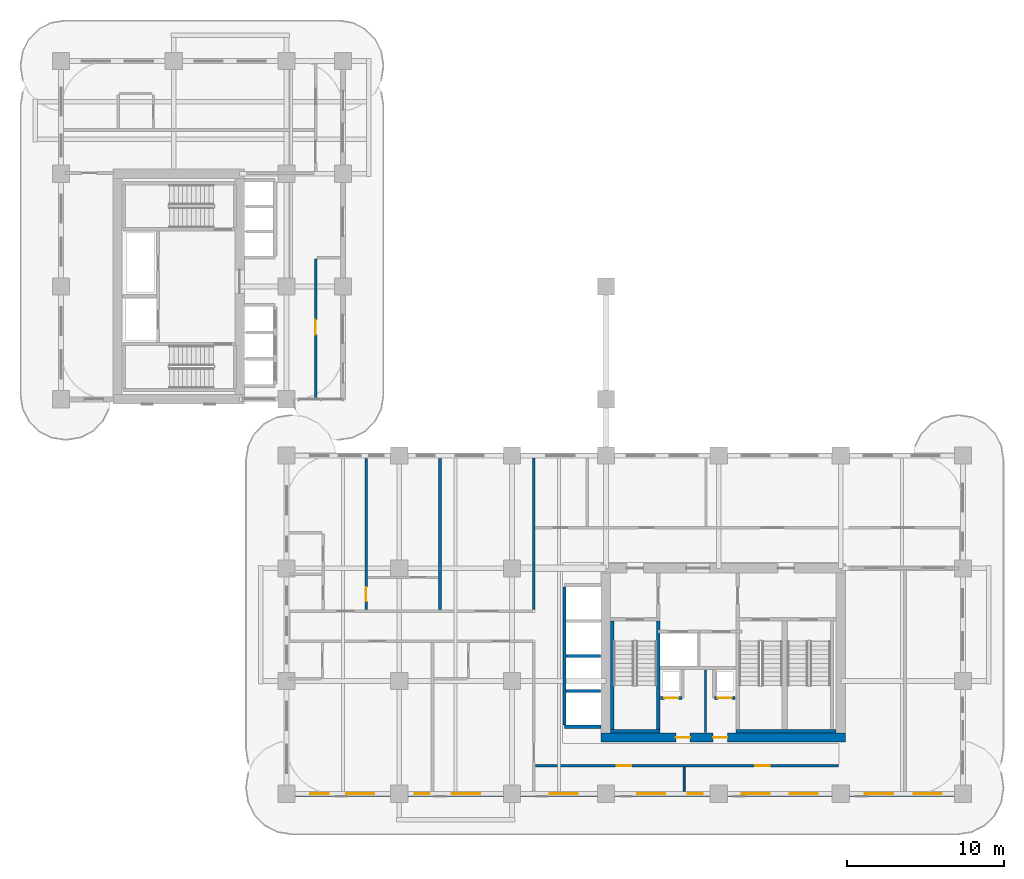
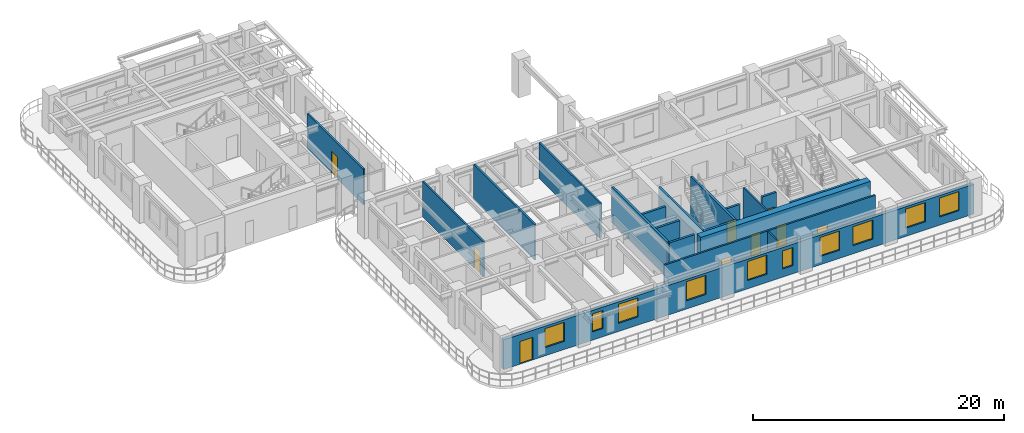
# One storey, part 8 of 19: 19 walls, 10 windows, 9 doors, 19 openings.
"""IFC4 building model written with IfcOpenShell, lengths in metres."""

from ifc_helpers import new_model, si_unit, derived_unit, direction, frame, frame_2d, origin, place, context, subcontext, project, spatial, rectangle, extrude, source, transform, mapped, material, layer, layer_set, type_object, type_shapes, element, fill, save


model = new_model("IFC4")

# Units and contexts
model_context = context("Model", 3, precision=1e-05, world=origin(), true_north=direction((0.0, 1.0)))
body_context = subcontext(model_context, "Body", "Model", "MODEL_VIEW")
ifc_project = project(units=[si_unit("LENGTHUNIT", "METRE"), si_unit("AREAUNIT", "SQUARE_METRE"), si_unit("VOLUMEUNIT", "CUBIC_METRE"), si_unit("PLANEANGLEUNIT", "RADIAN"), si_unit("MASSUNIT", "GRAM", prefix="KILO"), si_unit("THERMODYNAMICTEMPERATUREUNIT", "KELVIN"), si_unit("POWERUNIT", "WATT"), derived_unit("THERMALTRANSMITTANCEUNIT", [(si_unit("POWERUNIT", "WATT"), 1), (si_unit("AREAUNIT", "SQUARE_METRE"), -1), (si_unit("THERMODYNAMICTEMPERATUREUNIT", "KELVIN"), -1)])], contexts=[model_context])

# Site, building, storey
site_placement = place(None, origin())
site = spatial("IfcSite", under=ifc_project, at=site_placement, CompositionType="ELEMENT")
building_placement = place(site_placement, origin())
building = spatial("IfcBuilding", under=site, at=building_placement, Name="Zahravan Archway Hotel and Residences", CompositionType="ELEMENT")
storey_placement = place(building_placement, frame((0.0, 0.0, 39.800048828125)))
storey = spatial("IfcBuildingStorey", under=building, at=storey_placement, Name="L08", CompositionType="ELEMENT", Elevation=39.800048828125)

# Wall, openings, doors
ifc_material_1 = material(Name="Concrete C70/85", Category="concrete")
ifc_layer_1 = layer(ifc_material_1, 0.60009765625, Name="Concrete C70/85", Category="concrete")
ifc_layer_set_1 = layer_set([ifc_layer_1], Name="Concrete C70/85")
wall_type_1 = type_object("IfcWallType", Name="CW-CORE-600", PredefinedType="SHEAR", material=ifc_layer_set_1)
wall_1_placement = place(storey_placement, frame((34.5, 3.60009765625, 0.0), z_axis=(0.0, 0.0, 1.0), x_axis=(1.0, 0.0, 0.0)))
wall_1 = element("IfcWall", 1, at=wall_1_placement, inside=storey, type_object=wall_type_1, Name="L08 Core A Shear S Wall 600 mm", PredefinedType="SHEAR", context=body_context, shape_type="SweptSolid", body=[
    extrude(rectangle(XDim=15.60009765625, YDim=0.60009765625, at=frame_2d((7.800048828125, 0.0))), origin(), (0.0, 0.0, 1.0), 3.699951171875),
])
opening_1_placement = place(wall_1_placement, frame((4.77001953125, 0.0, 0.0)))
opening_1 = element("IfcOpeningElement", 2, at=opening_1_placement, cuts=wall_1, Name="Opening FD-R1", PredefinedType="OPENING", context=body_context, shape_type="SweptSolid", body=[
    extrude(rectangle(XDim=0.89990234375, YDim=2.10009765625, at=frame_2d((0.449951171875, 1.050048828125))), frame((0.0, 0.31005859375, 0.0), z_axis=(0.0, -1.0, 0.0), x_axis=(1.0, 0.0, 0.0)), (0.0, 0.0, 1.0), 0.6201171875),
])
opening_2_placement = place(wall_1_placement, frame((7.14990234375, 0.0, 0.0)))
opening_2 = element("IfcOpeningElement", 3, at=opening_2_placement, cuts=wall_1, Name="Opening FD-R1", PredefinedType="OPENING", context=body_context, shape_type="SweptSolid", body=[
    extrude(rectangle(XDim=0.89990234375, YDim=2.10009765625, at=frame_2d((0.449951171875, 1.050048828125))), frame((0.0, 0.31005859375, 0.0), z_axis=(0.0, -1.0, 0.0), x_axis=(1.0, 0.0, 0.0)), (0.0, 0.0, 1.0), 0.6201171875),
])
ifc_material_2 = material(Name="Fire-Rated Painted Steel", Category="steel")
door_type_1 = type_object("IfcDoorType", Name="FD-RISER-900", OperationType="NOTDEFINED", PredefinedType="DOOR", material=ifc_material_2)
shared_shape_1 = source(origin(), body_context, "Body", "SweptSolid", [
    extrude(rectangle(XDim=0.89990234375, YDim=2.10009765625, at=frame_2d((0.449951171875, 1.050048828125))), frame((0.0, 0.02490234375, 0.0), z_axis=(0.0, -1.0, 0.0), x_axis=(1.0, 0.0, 0.0)), (0.0, 0.0, 1.0), 0.050048828125),
])
type_shapes(door_type_1, [shared_shape_1])
door_1_placement = place(opening_1_placement, origin())
door_1 = element("IfcDoor", 4, at=door_1_placement, inside=storey, type_object=door_type_1, Name="L08 Fan Room Door", OperationType="SINGLE_SWING_RIGHT", OverallHeight=2.10009765625, OverallWidth=0.89990234375, PredefinedType="DOOR", context=body_context, shape_type="MappedRepresentation", body=[
    mapped(shared_shape_1, transform((0.0, 0.0, 0.0), scale=1.0)),
])
fill(opening_1, door_1)
door_2_placement = place(opening_2_placement, origin())
door_2 = element("IfcDoor", 5, at=door_2_placement, inside=storey, type_object=door_type_1, Name="L08 Sub-Meter Cupboard Door", OperationType="SINGLE_SWING_LEFT", OverallHeight=2.10009765625, OverallWidth=0.89990234375, PredefinedType="DOOR", context=body_context, shape_type="MappedRepresentation", body=[
    mapped(shared_shape_1, transform((0.0, 0.0, 0.0), scale=1.0)),
])
fill(opening_2, door_2)

# Wall, openings, door, windows
ifc_material_3 = material(Name="Agra Buff Sandstone & Insulated Backup", Category="masonry")
ifc_layer_2 = layer(ifc_material_3, 0.320068359375, Name="Agra Buff Sandstone & Insulated Backup", Category="masonry")
ifc_layer_set_2 = layer_set([ifc_layer_2], Name="Agra Buff Sandstone & Insulated Backup")
wall_type_2 = type_object("IfcWallType", Name="EW-SAND-320", PredefinedType="SOLIDWALL", material=ifc_layer_set_2)
wall_2_placement = place(storey_placement, frame((14.39990234375, 0.0, 0.0), z_axis=(0.0, 0.0, 1.0), x_axis=(1.0, 0.0, 0.0)))
wall_2 = element("IfcWall", 6, at=wall_2_placement, inside=storey, type_object=wall_type_2, Name="L08 Exterior Sandstone Wall WA-S", PredefinedType="SOLIDWALL", context=body_context, shape_type="SweptSolid", body=[
    extrude(rectangle(XDim=43.2001953125, YDim=0.320068359375, at=frame_2d((21.60009765625, 0.0))), origin(), (0.0, 0.0, 1.0), 2.885009765625),
])
opening_3_placement = place(wall_2_placement, frame((1.5, 0.0, 0.0)))
opening_3 = element("IfcOpeningElement", 7, at=opening_3_placement, cuts=wall_2, Name="Opening ED-BL1", PredefinedType="OPENING", context=body_context, shape_type="SweptSolid", body=[
    extrude(rectangle(XDim=1.199951171875, YDim=2.199951171875, at=frame_2d((0.60009765625, 1.10009765625))), frame((0.0, 0.169921875, 0.0), z_axis=(0.0, -1.0, 0.0), x_axis=(1.0, 0.0, 0.0)), (0.0, 0.0, 1.0), 0.340087890625),
])
opening_4_placement = place(wall_2_placement, frame((3.800048828125, 0.0, 0.800048828125)))
opening_4 = element("IfcOpeningElement", 8, at=opening_4_placement, cuts=wall_2, Name="Opening W-02", PredefinedType="OPENING", context=body_context, shape_type="SweptSolid", body=[
    extrude(rectangle(XDim=1.800048828125, YDim=1.85009765625, at=frame_2d((0.89990234375, 0.925048828125))), frame((0.0, 0.169921875, 0.0), z_axis=(0.0, -1.0, 0.0), x_axis=(1.0, 0.0, 0.0)), (0.0, 0.0, 1.0), 0.340087890625),
])
opening_5_placement = place(wall_2_placement, frame((8.180908203125, 0.0, 0.800048828125)))
opening_5 = element("IfcOpeningElement", 9, at=opening_5_placement, cuts=wall_2, Name="Opening W-04", PredefinedType="OPENING", context=body_context, shape_type="SweptSolid", body=[
    extrude(rectangle(XDim=0.949951171875, YDim=1.75, at=frame_2d((0.47509765625, 0.875))), frame((0.0, 0.169921875, 0.0), z_axis=(0.0, -1.0, 0.0), x_axis=(1.0, 0.0, 0.0)), (0.0, 0.0, 1.0), 0.340087890625),
])
opening_6_placement = place(wall_2_placement, frame((10.56396484375, 0.0, 0.800048828125)))
opening_6 = element("IfcOpeningElement", 10, at=opening_6_placement, cuts=wall_2, Name="Opening W-02", PredefinedType="OPENING", context=body_context, shape_type="SweptSolid", body=[
    extrude(rectangle(XDim=1.800048828125, YDim=1.85009765625, at=frame_2d((0.89990234375, 0.925048828125))), frame((0.0, 0.169921875, 0.0), z_axis=(0.0, -1.0, 0.0), x_axis=(1.0, 0.0, 0.0)), (0.0, 0.0, 1.0), 0.340087890625),
])
opening_7_placement = place(wall_2_placement, frame((16.803955078125, 0.0, 0.800048828125)))
opening_7 = element("IfcOpeningElement", 11, at=opening_7_placement, cuts=wall_2, Name="Opening W-02", PredefinedType="OPENING", context=body_context, shape_type="SweptSolid", body=[
    extrude(rectangle(XDim=1.800048828125, YDim=1.85009765625, at=frame_2d((0.89990234375, 0.925048828125))), frame((0.0, 0.169921875, 0.0), z_axis=(0.0, -1.0, 0.0), x_axis=(1.0, 0.0, 0.0)), (0.0, 0.0, 1.0), 0.340087890625),
])
opening_8_placement = place(wall_2_placement, frame((22.39599609375, 0.0, 0.800048828125)))
opening_8 = element("IfcOpeningElement", 12, at=opening_8_placement, cuts=wall_2, Name="Opening W-02", PredefinedType="OPENING", context=body_context, shape_type="SweptSolid", body=[
    extrude(rectangle(XDim=1.800048828125, YDim=1.85009765625, at=frame_2d((0.89990234375, 0.925048828125))), frame((0.0, 0.169921875, 0.0), z_axis=(0.0, -1.0, 0.0), x_axis=(1.0, 0.0, 0.0)), (0.0, 0.0, 1.0), 0.340087890625),
])
opening_9_placement = place(wall_2_placement, frame((25.62890625, 0.0, 0.800048828125)))
opening_9 = element("IfcOpeningElement", 13, at=opening_9_placement, cuts=wall_2, Name="Opening W-04", PredefinedType="OPENING", context=body_context, shape_type="SweptSolid", body=[
    extrude(rectangle(XDim=0.949951171875, YDim=1.75, at=frame_2d((0.47509765625, 0.875))), frame((0.0, 0.169921875, 0.0), z_axis=(0.0, -1.0, 0.0), x_axis=(1.0, 0.0, 0.0)), (0.0, 0.0, 1.0), 0.340087890625),
])
opening_10_placement = place(wall_2_placement, frame((29.074951171875, 0.0, 0.800048828125)))
opening_10 = element("IfcOpeningElement", 14, at=opening_10_placement, cuts=wall_2, Name="Opening W-02", PredefinedType="OPENING", context=body_context, shape_type="SweptSolid", body=[
    extrude(rectangle(XDim=1.800048828125, YDim=1.85009765625, at=frame_2d((0.89990234375, 0.925048828125))), frame((0.0, 0.169921875, 0.0), z_axis=(0.0, -1.0, 0.0), x_axis=(1.0, 0.0, 0.0)), (0.0, 0.0, 1.0), 0.340087890625),
])
opening_11_placement = place(wall_2_placement, frame((32.125, 0.0, 0.800048828125)))
opening_11 = element("IfcOpeningElement", 15, at=opening_11_placement, cuts=wall_2, Name="Opening W-02", PredefinedType="OPENING", context=body_context, shape_type="SweptSolid", body=[
    extrude(rectangle(XDim=1.800048828125, YDim=1.85009765625, at=frame_2d((0.89990234375, 0.925048828125))), frame((0.0, 0.169921875, 0.0), z_axis=(0.0, -1.0, 0.0), x_axis=(1.0, 0.0, 0.0)), (0.0, 0.0, 1.0), 0.340087890625),
])
opening_12_placement = place(wall_2_placement, frame((36.946044921875, 0.0, 0.800048828125)))
opening_12 = element("IfcOpeningElement", 16, at=opening_12_placement, cuts=wall_2, Name="Opening W-02", PredefinedType="OPENING", context=body_context, shape_type="SweptSolid", body=[
    extrude(rectangle(XDim=1.800048828125, YDim=1.85009765625, at=frame_2d((0.89990234375, 0.925048828125))), frame((0.0, 0.169921875, 0.0), z_axis=(0.0, -1.0, 0.0), x_axis=(1.0, 0.0, 0.0)), (0.0, 0.0, 1.0), 0.340087890625),
])
opening_13_placement = place(wall_2_placement, frame((40.053955078125, 0.0, 0.800048828125)))
opening_13 = element("IfcOpeningElement", 17, at=opening_13_placement, cuts=wall_2, Name="Opening W-02", PredefinedType="OPENING", context=body_context, shape_type="SweptSolid", body=[
    extrude(rectangle(XDim=1.800048828125, YDim=1.85009765625, at=frame_2d((0.89990234375, 0.925048828125))), frame((0.0, 0.169921875, 0.0), z_axis=(0.0, -1.0, 0.0), x_axis=(1.0, 0.0, 0.0)), (0.0, 0.0, 1.0), 0.340087890625),
])
ifc_material_4 = material(Name="Bronze-Anodized Glazed Aluminium", Category="aluminium")
door_type_2 = type_object("IfcDoorType", Name="ED-BALC-1200", OperationType="SLIDING_TO_LEFT", PredefinedType="DOOR", material=ifc_material_4)
shared_shape_2 = source(origin(), body_context, "Body", "SweptSolid", [
    extrude(rectangle(XDim=1.199951171875, YDim=2.199951171875, at=frame_2d((0.60009765625, 1.10009765625))), frame((0.0, 0.02490234375, 0.0), z_axis=(0.0, -1.0, 0.0), x_axis=(1.0, 0.0, 0.0)), (0.0, 0.0, 1.0), 0.050048828125),
])
type_shapes(door_type_2, [shared_shape_2])
door_3_placement = place(opening_3_placement, origin())
door_3 = element("IfcDoor", 18, at=door_3_placement, inside=storey, type_object=door_type_2, Name="L08 Outdoor Access Sliding Door (SLB-BAL-L08-SA)", OperationType="SLIDING_TO_LEFT", OverallHeight=2.199951171875, OverallWidth=1.199951171875, PredefinedType="DOOR", context=body_context, shape_type="MappedRepresentation", body=[
    mapped(shared_shape_2, transform((0.0, 0.0, 0.0), scale=1.0)),
])
fill(opening_3, door_3)
ifc_material_5 = material(Name="Bronze-Anodized Thermal-Break Aluminium & Low-E Glass", Category="aluminium")
window_type_1 = type_object("IfcWindowType", Name="WIN-NAR-950", PartitioningType="SINGLE_PANEL", PredefinedType="WINDOW", material=ifc_material_5)
shared_shape_3 = source(origin(), body_context, "Body", "SweptSolid", [
    extrude(rectangle(XDim=0.949951171875, YDim=1.75, at=frame_2d((0.47509765625, 0.875))), frame((0.0, 0.030029296875, 0.0), z_axis=(0.0, -1.0, 0.0), x_axis=(1.0, 0.0, 0.0)), (0.0, 0.0, 1.0), 0.06005859375),
])
type_shapes(window_type_1, [shared_shape_3])
window_1_placement = place(opening_5_placement, origin())
window_1 = element("IfcWindow", 19, at=window_1_placement, inside=storey, type_object=window_type_1, Name="L08 Loggia Window 02", OverallHeight=1.75, OverallWidth=0.949951171875, PartitioningType="SINGLE_PANEL", PredefinedType="WINDOW", context=body_context, shape_type="MappedRepresentation", body=[
    mapped(shared_shape_3, transform((0.0, 0.0, 0.0), scale=1.0)),
])
fill(opening_5, window_1)
window_2_placement = place(opening_9_placement, origin())
window_2 = element("IfcWindow", 20, at=window_2_placement, inside=storey, type_object=window_type_1, Name="L08 Loggia Window 06", OverallHeight=1.75, OverallWidth=0.949951171875, PartitioningType="SINGLE_PANEL", PredefinedType="WINDOW", context=body_context, shape_type="MappedRepresentation", body=[
    mapped(shared_shape_3, transform((0.0, 0.0, 0.0), scale=1.0)),
])
fill(opening_9, window_2)
window_type_2 = type_object("IfcWindowType", Name="WIN-TWR-1800", PartitioningType="DOUBLE_PANEL_VERTICAL", PredefinedType="WINDOW", material=ifc_material_5)
shared_shape_4 = source(origin(), body_context, "Body", "SweptSolid", [
    extrude(rectangle(XDim=1.800048828125, YDim=1.85009765625, at=frame_2d((0.89990234375, 0.925048828125))), frame((0.0, 0.030029296875, 0.0), z_axis=(0.0, -1.0, 0.0), x_axis=(1.0, 0.0, 0.0)), (0.0, 0.0, 1.0), 0.06005859375),
])
type_shapes(window_type_2, [shared_shape_4])
window_3_placement = place(opening_4_placement, origin())
window_3 = element("IfcWindow", 21, at=window_3_placement, inside=storey, type_object=window_type_2, Name="L08 Loggia Window 01", OverallHeight=1.85009765625, OverallWidth=1.800048828125, PartitioningType="DOUBLE_PANEL_VERTICAL", PredefinedType="WINDOW", context=body_context, shape_type="MappedRepresentation", body=[
    mapped(shared_shape_4, transform((0.0, 0.0, 0.0), scale=1.0)),
])
fill(opening_4, window_3)
window_4_placement = place(opening_6_placement, origin())
window_4 = element("IfcWindow", 22, at=window_4_placement, inside=storey, type_object=window_type_2, Name="L08 Loggia Window 03", OverallHeight=1.85009765625, OverallWidth=1.800048828125, PartitioningType="DOUBLE_PANEL_VERTICAL", PredefinedType="WINDOW", context=body_context, shape_type="MappedRepresentation", body=[
    mapped(shared_shape_4, transform((0.0, 0.0, 0.0), scale=1.0)),
])
fill(opening_6, window_4)
window_5_placement = place(opening_7_placement, origin())
window_5 = element("IfcWindow", 23, at=window_5_placement, inside=storey, type_object=window_type_2, Name="L08 Loggia Window 04", OverallHeight=1.85009765625, OverallWidth=1.800048828125, PartitioningType="DOUBLE_PANEL_VERTICAL", PredefinedType="WINDOW", context=body_context, shape_type="MappedRepresentation", body=[
    mapped(shared_shape_4, transform((0.0, 0.0, 0.0), scale=1.0)),
])
fill(opening_7, window_5)
window_6_placement = place(opening_8_placement, origin())
window_6 = element("IfcWindow", 24, at=window_6_placement, inside=storey, type_object=window_type_2, Name="L08 Loggia Window 05", OverallHeight=1.85009765625, OverallWidth=1.800048828125, PartitioningType="DOUBLE_PANEL_VERTICAL", PredefinedType="WINDOW", context=body_context, shape_type="MappedRepresentation", body=[
    mapped(shared_shape_4, transform((0.0, 0.0, 0.0), scale=1.0)),
])
fill(opening_8, window_6)
window_7_placement = place(opening_10_placement, origin())
window_7 = element("IfcWindow", 25, at=window_7_placement, inside=storey, type_object=window_type_2, Name="L08 Loggia Window 07", OverallHeight=1.85009765625, OverallWidth=1.800048828125, PartitioningType="DOUBLE_PANEL_VERTICAL", PredefinedType="WINDOW", context=body_context, shape_type="MappedRepresentation", body=[
    mapped(shared_shape_4, transform((0.0, 0.0, 0.0), scale=1.0)),
])
fill(opening_10, window_7)
window_8_placement = place(opening_11_placement, origin())
window_8 = element("IfcWindow", 26, at=window_8_placement, inside=storey, type_object=window_type_2, Name="L08 Loggia Window 08", OverallHeight=1.85009765625, OverallWidth=1.800048828125, PartitioningType="DOUBLE_PANEL_VERTICAL", PredefinedType="WINDOW", context=body_context, shape_type="MappedRepresentation", body=[
    mapped(shared_shape_4, transform((0.0, 0.0, 0.0), scale=1.0)),
])
fill(opening_11, window_8)
window_9_placement = place(opening_12_placement, origin())
window_9 = element("IfcWindow", 27, at=window_9_placement, inside=storey, type_object=window_type_2, Name="L08 Loggia Window 09", OverallHeight=1.85009765625, OverallWidth=1.800048828125, PartitioningType="DOUBLE_PANEL_VERTICAL", PredefinedType="WINDOW", context=body_context, shape_type="MappedRepresentation", body=[
    mapped(shared_shape_4, transform((0.0, 0.0, 0.0), scale=1.0)),
])
fill(opening_12, window_9)
window_10_placement = place(opening_13_placement, origin())
window_10 = element("IfcWindow", 28, at=window_10_placement, inside=storey, type_object=window_type_2, Name="L08 Loggia Window 10", OverallHeight=1.85009765625, OverallWidth=1.800048828125, PartitioningType="DOUBLE_PANEL_VERTICAL", PredefinedType="WINDOW", context=body_context, shape_type="MappedRepresentation", body=[
    mapped(shared_shape_4, transform((0.0, 0.0, 0.0), scale=1.0)),
])
fill(opening_13, window_10)

# Wall
ifc_material_6 = material(Name="Fire-Rated Gypsum & Concrete Block", Category="concrete")
ifc_layer_3 = layer(ifc_material_6, 0.159912109375, Name="Fire-Rated Gypsum & Concrete Block", Category="concrete")
ifc_layer_set_3 = layer_set([ifc_layer_3], Name="Fire-Rated Gypsum & Concrete Block")
wall_type_3 = type_object("IfcWallType", Name="PW-CORR-160", PredefinedType="PARTITIONING", material=ifc_layer_set_3)
wall_3_placement = place(storey_placement, frame((30.199951171875, 11.760009765625, 0.0), z_axis=(0.0, 0.0, 1.0), x_axis=(0.0, 1.0, 0.0)))
element("IfcWall", 29, at=wall_3_placement, inside=storey, type_object=wall_type_3, Name="L08 Partition WA-FW", PredefinedType="PARTITIONING", context=body_context, shape_type="SweptSolid", body=[
    extrude(rectangle(XDim=9.699951171875, YDim=0.159912109375, at=frame_2d((4.85009765625, 0.0))), origin(), (0.0, 0.0, 1.0), 3.449951171875),
])

# Wall, openings, doors
wall_4_placement = place(storey_placement, frame((30.2900390625, 1.800048828125, 0.0), z_axis=(0.0, 0.0, 1.0), x_axis=(1.0, 0.0, 0.0)))
wall_4 = element("IfcWall", 30, at=wall_4_placement, inside=storey, type_object=wall_type_3, Name="L08 Partition WA-SRS", PredefinedType="PARTITIONING", context=body_context, shape_type="SweptSolid", body=[
    extrude(rectangle(XDim=19.369873046875, YDim=0.159912109375, at=frame_2d((9.68505859375, 0.0))), origin(), (0.0, 0.0, 1.0), 3.449951171875),
])
opening_14_placement = place(wall_4_placement, frame((5.213134765625, 0.0, 0.0)))
opening_14 = element("IfcOpeningElement", 31, at=opening_14_placement, cuts=wall_4, Name="Opening D-I2", PredefinedType="OPENING", context=body_context, shape_type="SweptSolid", body=[
    extrude(rectangle(XDim=0.89990234375, YDim=2.14990234375, at=frame_2d((0.449951171875, 1.074951171875))), frame((0.0, 0.08984375, 0.0), z_axis=(0.0, -1.0, 0.0), x_axis=(1.0, 0.0, 0.0)), (0.0, 0.0, 1.0), 0.179931640625),
])
opening_15_placement = place(wall_4_placement, frame((14.06005859375, 0.0, 0.0)))
opening_15 = element("IfcOpeningElement", 32, at=opening_15_placement, cuts=wall_4, Name="Opening D-I2", PredefinedType="OPENING", context=body_context, shape_type="SweptSolid", body=[
    extrude(rectangle(XDim=0.89990234375, YDim=2.14990234375, at=frame_2d((0.449951171875, 1.074951171875))), frame((0.0, 0.08984375, 0.0), z_axis=(0.0, -1.0, 0.0), x_axis=(1.0, 0.0, 0.0)), (0.0, 0.0, 1.0), 0.179931640625),
])
ifc_material_7 = material(Name="Hardwood Veneer Timber", Category="wood")
door_type_3 = type_object("IfcDoorType", Name="ID-INT-900", OperationType="NOTDEFINED", PredefinedType="DOOR", material=ifc_material_7)
shared_shape_5 = source(origin(), body_context, "Body", "SweptSolid", [
    extrude(rectangle(XDim=0.89990234375, YDim=2.14990234375, at=frame_2d((0.449951171875, 1.074951171875))), frame((0.0, 0.02490234375, 0.0), z_axis=(0.0, -1.0, 0.0), x_axis=(1.0, 0.0, 0.0)), (0.0, 0.0, 1.0), 0.050048828125),
])
type_shapes(door_type_3, [shared_shape_5])
door_4_placement = place(opening_14_placement, origin())
door_4 = element("IfcDoor", 33, at=door_4_placement, inside=storey, type_object=door_type_3, Name="L08 South Study Door", OperationType="SINGLE_SWING_RIGHT", OverallHeight=2.14990234375, OverallWidth=0.89990234375, PredefinedType="DOOR", context=body_context, shape_type="MappedRepresentation", body=[
    mapped(shared_shape_5, transform((0.0, 0.0, 0.0), scale=1.0)),
])
fill(opening_14, door_4)
door_5_placement = place(opening_15_placement, origin())
door_5 = element("IfcDoor", 34, at=door_5_placement, inside=storey, type_object=door_type_3, Name="L08 South Pantry Door", OperationType="SINGLE_SWING_LEFT", OverallHeight=2.14990234375, OverallWidth=0.89990234375, PredefinedType="DOOR", context=body_context, shape_type="MappedRepresentation", body=[
    mapped(shared_shape_5, transform((0.0, 0.0, 0.0), scale=1.0)),
])
fill(opening_15, door_5)

# Wall, opening, door
wall_5_placement = place(storey_placement, frame((16.25, 25.22802734375, 0.0), z_axis=(0.0, 0.0, 1.0), x_axis=(0.0, 1.0, 0.0)))
wall_5 = element("IfcWall", 35, at=wall_5_placement, inside=storey, type_object=wall_type_3, Name="L08 Partition WB-CE", PredefinedType="PARTITIONING", context=body_context, shape_type="SweptSolid", body=[
    extrude(rectangle(XDim=8.931884765625, YDim=0.159912109375, at=frame_2d((4.4658203125, 0.0))), origin(), (0.0, 0.0, 1.0), 3.449951171875),
])
opening_16_placement = place(wall_5_placement, frame((4.096923828125, 0.0, 0.0)))
opening_16 = element("IfcOpeningElement", 36, at=opening_16_placement, cuts=wall_5, Name="Opening D-I1", PredefinedType="OPENING", context=body_context, shape_type="SweptSolid", body=[
    extrude(rectangle(XDim=0.949951171875, YDim=2.14990234375, at=frame_2d((0.47509765625, 1.074951171875))), frame((0.0, 0.08984375, 0.0), z_axis=(0.0, -1.0, 0.0), x_axis=(1.0, 0.0, 0.0)), (0.0, 0.0, 1.0), 0.179931640625),
])
door_type_4 = type_object("IfcDoorType", Name="ID-INT-950", OperationType="NOTDEFINED", PredefinedType="DOOR", material=ifc_material_7)
shared_shape_6 = source(origin(), body_context, "Body", "SweptSolid", [
    extrude(rectangle(XDim=0.949951171875, YDim=2.14990234375, at=frame_2d((0.47509765625, 1.074951171875))), frame((0.0, 0.02490234375, 0.0), z_axis=(0.0, -1.0, 0.0), x_axis=(1.0, 0.0, 0.0)), (0.0, 0.0, 1.0), 0.050048828125),
])
type_shapes(door_type_4, [shared_shape_6])
door_6_placement = place(opening_16_placement, origin())
door_6 = element("IfcDoor", 37, at=door_6_placement, inside=storey, type_object=door_type_4, Name="L08 Wing B Portal Study Door", OperationType="SINGLE_SWING_LEFT", OverallHeight=2.14990234375, OverallWidth=0.949951171875, PredefinedType="DOOR", context=body_context, shape_type="MappedRepresentation", body=[
    mapped(shared_shape_6, transform((0.0, 0.0, 0.0), scale=1.0)),
])
fill(opening_16, door_6)

# Wall
ifc_material_8 = material(Name="Acoustic Stud Partition")
ifc_layer_4 = layer(ifc_material_8, 0.125, Name="Acoustic Stud Partition")
ifc_layer_set_4 = layer_set([ifc_layer_4], Name="Acoustic Stud Partition")
wall_type_4 = type_object("IfcWallType", Name="PW-INT-125", PredefinedType="PARTITIONING", material=ifc_layer_set_4)
wall_6_placement = place(storey_placement, frame((39.800048828125, 0.16796875, 0.0), z_axis=(0.0, 0.0, 1.0), x_axis=(0.0, 1.0, 0.0)))
element("IfcWall", 38, at=wall_6_placement, inside=storey, type_object=wall_type_4, Name="L08 Partition S-DIV1", PredefinedType="PARTITIONING", context=body_context, shape_type="SweptSolid", body=[
    extrude(rectangle(XDim=1.5419921875, YDim=0.125, at=frame_2d((0.77099609375, 0.0))), origin(), (0.0, 0.0, 1.0), 3.449951171875),
])

# Wall, opening, door
ifc_layer_5 = layer(ifc_material_6, 0.199951171875, Name="Fire-Rated Gypsum & Concrete Block", Category="concrete")
ifc_layer_set_5 = layer_set([ifc_layer_5], Name="Fire-Rated Gypsum & Concrete Block")
wall_type_5 = type_object("IfcWallType", Name="PW-SHAFT-200", PredefinedType="PARTITIONING", material=ifc_layer_set_5)
wall_7_placement = place(storey_placement, frame((38.2900390625, 6.1201171875, 0.0), z_axis=(0.0, 0.0, 1.0), x_axis=(1.0, 0.0, 0.0)))
wall_7 = element("IfcWall", 39, at=wall_7_placement, inside=storey, type_object=wall_type_5, Name="L08 Partition CA-SMKS", PredefinedType="PARTITIONING", context=body_context, shape_type="SweptSolid", body=[
    extrude(rectangle(XDim=1.3798828125, YDim=0.199951171875, at=frame_2d((0.68994140625, 0.0))), origin(), (0.0, 0.0, 1.0), 3.449951171875),
])
opening_17_placement = place(wall_7_placement, frame((0.239990234375, 0.0, 0.0)))
opening_17 = element("IfcOpeningElement", 40, at=opening_17_placement, cuts=wall_7, Name="Opening FD-R1", PredefinedType="OPENING", context=body_context, shape_type="SweptSolid", body=[
    extrude(rectangle(XDim=0.89990234375, YDim=2.10009765625, at=frame_2d((0.449951171875, 1.050048828125))), frame((0.0, 0.10986328125, 0.0), z_axis=(0.0, -1.0, 0.0), x_axis=(1.0, 0.0, 0.0)), (0.0, 0.0, 1.0), 0.219970703125),
])
door_7_placement = place(opening_17_placement, origin())
door_7 = element("IfcDoor", 41, at=door_7_placement, inside=storey, type_object=door_type_1, Name="L08 Smoke Riser Access Door", OperationType="SINGLE_SWING_RIGHT", OverallHeight=2.10009765625, OverallWidth=0.89990234375, PredefinedType="DOOR", context=body_context, shape_type="MappedRepresentation", body=[
    mapped(shared_shape_1, transform((0.0, 0.0, 0.0), scale=1.0)),
])
fill(opening_17, door_7)

wall_8_placement = place(storey_placement, frame((41.72998046875, 6.1201171875, 0.0), z_axis=(0.0, 0.0, 1.0), x_axis=(1.0, 0.0, 0.0)))
wall_8 = element("IfcWall", 42, at=wall_8_placement, inside=storey, type_object=wall_type_5, Name="L08 Partition CA-MEPS", PredefinedType="PARTITIONING", context=body_context, shape_type="SweptSolid", body=[
    extrude(rectangle(XDim=1.320068359375, YDim=0.199951171875, at=frame_2d((0.66015625, 0.0))), origin(), (0.0, 0.0, 1.0), 3.449951171875),
])
opening_18_placement = place(wall_8_placement, frame((0.219970703125, 0.0, 0.0)))
opening_18 = element("IfcOpeningElement", 43, at=opening_18_placement, cuts=wall_8, Name="Opening FD-R1", PredefinedType="OPENING", context=body_context, shape_type="SweptSolid", body=[
    extrude(rectangle(XDim=0.89990234375, YDim=2.10009765625, at=frame_2d((0.449951171875, 1.050048828125))), frame((0.0, 0.10986328125, 0.0), z_axis=(0.0, -1.0, 0.0), x_axis=(1.0, 0.0, 0.0)), (0.0, 0.0, 1.0), 0.219970703125),
])
door_8_placement = place(opening_18_placement, origin())
door_8 = element("IfcDoor", 44, at=door_8_placement, inside=storey, type_object=door_type_1, Name="L08 MEP Riser Access Door", OperationType="SINGLE_SWING_LEFT", OverallHeight=2.10009765625, OverallWidth=0.89990234375, PredefinedType="DOOR", context=body_context, shape_type="MappedRepresentation", body=[
    mapped(shared_shape_1, transform((0.0, 0.0, 0.0), scale=1.0)),
])
fill(opening_18, door_8)

# Walls
wall_9_placement = place(storey_placement, frame((32.159912109375, 4.280029296875, 0.0), z_axis=(0.0, 0.0, 1.0), x_axis=(1.0, 0.0, 0.0)))
element("IfcWall", 45, at=wall_9_placement, inside=storey, type_object=wall_type_5, Name="L08 Partition B3-S", PredefinedType="PARTITIONING", context=body_context, shape_type="SweptSolid", body=[
    extrude(rectangle(XDim=2.31005859375, YDim=0.199951171875, at=frame_2d((1.155029296875, 0.0))), origin(), (0.0, 0.0, 1.0), 3.449951171875),
])
wall_10_placement = place(storey_placement, frame((32.14990234375, 4.389892578125, 0.0), z_axis=(0.0, 0.0, 1.0), x_axis=(0.0, 1.0, 0.0)))
element("IfcWall", 46, at=wall_10_placement, inside=storey, type_object=wall_type_5, Name="L08 Partition B3-W", PredefinedType="PARTITIONING", context=body_context, shape_type="SweptSolid", body=[
    extrude(rectangle(XDim=8.820068359375, YDim=0.199951171875, at=frame_2d((4.41015625, 0.0))), origin(), (0.0, 0.0, 1.0), 3.449951171875),
])
for number, where, z_axis, x_axis, name in (
    (47, (32.260009765625, 6.56005859375, 0.0), (0.0, 0.0, 1.0), (1.0, 0.0, 0.0), "L08 Partition B3-D"),
    (48, (32.260009765625, 8.800048828125, 0.0), (0.0, 0.0, 1.0), (1.0, 0.0, 0.0), "L08 Partition B3-D"),
):
    element("IfcWall", number, at=place(storey_placement, frame(where, z_axis=z_axis, x_axis=x_axis)), inside=storey, type_object=wall_type_5, Name=name, PredefinedType="PARTITIONING", context=body_context, shape_type="SweptSolid", body=[
        extrude(rectangle(XDim=2.179931640625, YDim=0.199951171875, at=frame_2d((1.08984375, 0.0))), origin(), (0.0, 0.0, 1.0), 3.449951171875),
    ])

# Wall, opening, door
ifc_layer_6 = layer(ifc_material_8, 0.14990234375, Name="Acoustic Stud Partition")
ifc_layer_set_6 = layer_set([ifc_layer_6], Name="Acoustic Stud Partition")
wall_type_6 = type_object("IfcWallType", Name="PW-UNIT-150", PredefinedType="PARTITIONING", material=ifc_layer_set_6)
wall_11_placement = place(storey_placement, frame((19.47998046875, 11.760009765625, 0.0), z_axis=(0.0, 0.0, 1.0), x_axis=(0.0, 1.0, 0.0)))
wall_11 = element("IfcWall", 49, at=wall_11_placement, inside=storey, type_object=wall_type_6, Name="L08 Partition FL-PN1-SP", PredefinedType="PARTITIONING", context=body_context, shape_type="SweptSolid", body=[
    extrude(rectangle(XDim=9.671875, YDim=0.14990234375, at=frame_2d((4.8359375, 0.0))), origin(), (0.0, 0.0, 1.0), 3.449951171875),
])
opening_19_placement = place(wall_11_placement, frame((0.534912109375, 0.0, 0.0)))
opening_19 = element("IfcOpeningElement", 50, at=opening_19_placement, cuts=wall_11, Name="Opening D-I2", PredefinedType="OPENING", context=body_context, shape_type="SweptSolid", body=[
    extrude(rectangle(XDim=0.89990234375, YDim=2.14990234375, at=frame_2d((0.449951171875, 1.074951171875))), frame((0.0, 0.0849609375, 0.0), z_axis=(0.0, -1.0, 0.0), x_axis=(1.0, 0.0, 0.0)), (0.0, 0.0, 1.0), 0.169921875),
])
door_9_placement = place(opening_19_placement, origin())
door_9 = element("IfcDoor", 51, at=door_9_placement, inside=storey, type_object=door_type_3, Name="L08 Flat PN1 Bedroom Hall Door", OperationType="SINGLE_SWING_LEFT", OverallHeight=2.14990234375, OverallWidth=0.89990234375, PredefinedType="DOOR", context=body_context, shape_type="MappedRepresentation", body=[
    mapped(shared_shape_5, transform((0.0, 0.0, 0.0), scale=1.0)),
])
fill(opening_19, door_9)

# Walls
ifc_layer_7 = layer(ifc_material_8, 0.169921875, Name="Acoustic Stud Partition")
ifc_layer_set_7 = layer_set([ifc_layer_7], Name="Acoustic Stud Partition")
wall_type_7 = type_object("IfcWallType", Name="PW-UNIT-170", PredefinedType="PARTITIONING", material=ifc_layer_set_7)
wall_12_placement = place(storey_placement, frame((24.199951171875, 11.760009765625, 0.0), z_axis=(0.0, 0.0, 1.0), x_axis=(0.0, 1.0, 0.0)))
element("IfcWall", 52, at=wall_12_placement, inside=storey, type_object=wall_type_7, Name="L08 Partition WAN-P1", PredefinedType="PARTITIONING", context=body_context, shape_type="SweptSolid", body=[
    extrude(rectangle(XDim=9.671875, YDim=0.169921875, at=frame_2d((4.8359375, 0.0))), origin(), (0.0, 0.0, 1.0), 3.449951171875),
])
ifc_material_9 = material(Name="Moisture-Resistant Blockwork", Category="masonry")
ifc_layer_8 = layer(ifc_material_9, 0.139892578125, Name="Moisture-Resistant Blockwork", Category="masonry")
ifc_layer_set_8 = layer_set([ifc_layer_8], Name="Moisture-Resistant Blockwork")
wall_type_8 = type_object("IfcWallType", Name="PW-WET-140", PredefinedType="PARTITIONING", material=ifc_layer_set_8)
wall_13_placement = place(storey_placement, frame((41.14990234375, 3.919921875, 0.0), z_axis=(0.0, 0.0, 1.0), x_axis=(0.0, 1.0, 0.0)))
element("IfcWall", 53, at=wall_13_placement, inside=storey, type_object=wall_type_8, Name="L08 Partition CA-CV2V", PredefinedType="PARTITIONING", context=body_context, shape_type="SweptSolid", body=[
    extrude(rectangle(XDim=3.989990234375, YDim=0.139892578125, at=frame_2d((1.9951171875, 0.0))), origin(), (0.0, 0.0, 1.0), 3.449951171875),
])
ifc_material_10 = material(Name="Concrete C50/60", Category="concrete")
ifc_layer_9 = layer(ifc_material_10, 0.199951171875, Name="Concrete C50/60", Category="concrete")
ifc_layer_set_9 = layer_set([ifc_layer_9], Name="Concrete C50/60")
wall_type_9 = type_object("IfcWallType", Name="SW-STAIR-200", PredefinedType="SHEAR", material=ifc_layer_set_9)
wall_14_placement = place(storey_placement, frame((35.10009765625, 4.0, 0.0), z_axis=(0.0, 0.0, 1.0), x_axis=(1.0, 0.0, 0.0)))
element("IfcWall", 54, at=wall_14_placement, inside=storey, type_object=wall_type_9, Name="L08 Stairwell RC Wall CA-SA1S", PredefinedType="SHEAR", context=body_context, shape_type="SweptSolid", body=[
    extrude(rectangle(XDim=3.139892578125, YDim=0.199951171875, at=frame_2d((1.56982421875, 0.0))), origin(), (0.0, 0.0, 1.0), 3.699951171875),
])
for number, where, z_axis, x_axis, name in (
    (55, (35.199951171875, 4.10009765625, 0.0), (0.0, 0.0, 1.0), (0.0, 1.0, 0.0), "L08 Stairwell RC Wall CA-SA1W"),
    (56, (38.139892578125, 4.10009765625, 0.0), (0.0, 0.0, 1.0), (0.0, 1.0, 0.0), "L08 Stairwell RC Wall CA-SA1E"),
):
    element("IfcWall", number, at=place(storey_placement, frame(where, z_axis=z_axis, x_axis=x_axis)), inside=storey, type_object=wall_type_9, Name=name, PredefinedType="SHEAR", context=body_context, shape_type="SweptSolid", body=[
        extrude(rectangle(XDim=6.949951171875, YDim=0.199951171875, at=frame_2d((3.47509765625, 0.0))), origin(), (0.0, 0.0, 1.0), 3.699951171875),
    ])
wall_15_placement = place(storey_placement, frame((43.1201171875, 4.0, 0.0), z_axis=(0.0, 0.0, 1.0), x_axis=(1.0, 0.0, 0.0)))
element("IfcWall", 57, at=wall_15_placement, inside=storey, type_object=wall_type_9, Name="L08 Stairwell RC Wall CA-SA23S", PredefinedType="SHEAR", context=body_context, shape_type="SweptSolid", body=[
    extrude(rectangle(XDim=6.3798828125, YDim=0.199951171875, at=frame_2d((3.18994140625, 0.0))), origin(), (0.0, 0.0, 1.0), 3.699951171875),
])

save(model, "model.ifc")
